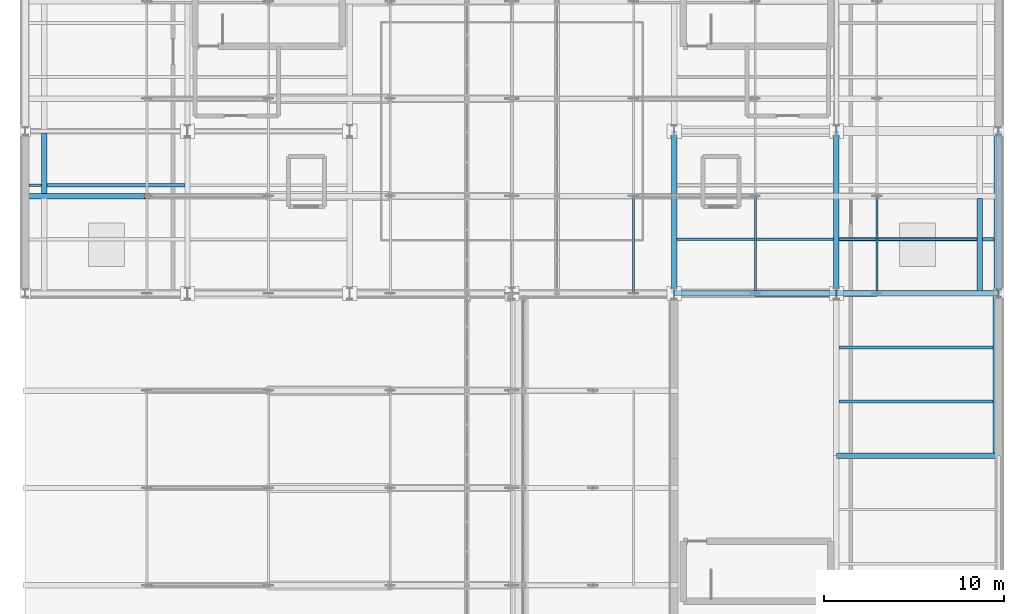
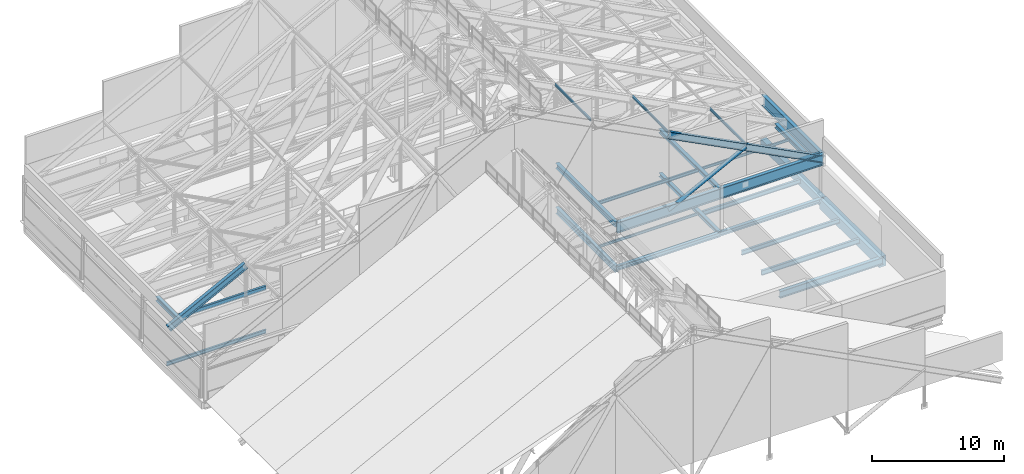
# One storey, part 33 of 84: 22 beams, 7 members.
"""IFC4 building model written with IfcOpenShell, lengths in metres."""

from ifc_helpers import new_model, si_unit, direction, frame, origin, origin_2d, place, context, subcontext, project, spatial, rectangle, hollow_circle, i_section, extrude, material, material_profile, profile_set, type_object, element, save


model = new_model("IFC4")

# Units and contexts
model_context = context("Model", 3, precision=1e-05, world=origin(), true_north=direction((0.0, 1.0)))
body_context = subcontext(model_context, "Body", "Model", "MODEL_VIEW")
ifc_project = project(units=[si_unit("LENGTHUNIT", "METRE"), si_unit("AREAUNIT", "SQUARE_METRE"), si_unit("VOLUMEUNIT", "CUBIC_METRE"), si_unit("PLANEANGLEUNIT", "RADIAN"), si_unit("MASSUNIT", "GRAM", prefix="KILO")], contexts=[model_context])

# Site, building, storey
site_placement = place(None, origin())
site = spatial("IfcSite", under=ifc_project, at=site_placement, CompositionType="ELEMENT")
building_placement = place(site_placement, origin())
building = spatial("IfcBuilding", under=site, at=building_placement, Name="Sundgate Opera House", CompositionType="ELEMENT")
storey_placement = place(building_placement, frame((0.0, 0.0, 30.60009765625)))
storey = spatial("IfcBuildingStorey", under=building, at=storey_placement, Name="L06", CompositionType="ELEMENT", Elevation=30.60009765625)

# Beams
ifc_material_1 = material(Name="Steel S355J2", Category="steel")
ifc_material_profile_1 = material_profile(ifc_material_1, i_section(OverallWidth=0.300048828125, OverallDepth=0.330078125, WebThickness=0.009521484375, FlangeThickness=0.0166015625, at=origin_2d()), Name="HEA 340")
ifc_profile_set_1 = profile_set([ifc_material_profile_1], Name="Steel S355J2")
beam_type_1 = type_object("IfcBeamType", Name="BM-GR-HEA340", PredefinedType="BEAM", material=ifc_profile_set_1)
beam_1_placement = place(storey_placement, frame((72.0, 60.0, -0.425048828125), z_axis=(0.0, 1.0, 0.0), x_axis=(-1.0, 0.0, 0.0)))
element("IfcBeam", 1, at=beam_1_placement, inside=storey, type_object=beam_type_1, Name="L06 Primary N-S Girder B3207", PredefinedType="BEAM", context=body_context, shape_type="SweptSolid", body=[
    extrude(i_section(OverallWidth=0.300048828125, OverallDepth=0.330078125, WebThickness=0.009521484375, FlangeThickness=0.0166015625, at=origin_2d()), origin(), (0.0, 0.0, 1.0), 9.0),
])
ifc_material_2 = material(Name="Steel S355J2", Category="steel")
ifc_material_profile_2 = material_profile(ifc_material_2, i_section(OverallWidth=0.300048828125, OverallDepth=0.35009765625, WebThickness=0.010009765625, FlangeThickness=0.017578125, at=origin_2d()), Name="HEA 360")
ifc_profile_set_2 = profile_set([ifc_material_profile_2], Name="Steel S355J2")
beam_type_2 = type_object("IfcBeamType", Name="BM-GR-HEA360", PredefinedType="BEAM", material=ifc_profile_set_2)
beam_2_placement = place(storey_placement, frame((72.0, 60.0, 3.625), z_axis=(0.0, 1.0, 0.0), x_axis=(-1.0, 0.0, 0.0)))
element("IfcBeam", 2, at=beam_2_placement, inside=storey, type_object=beam_type_2, Name="L06 Primary N-S Girder B3280", PredefinedType="BEAM", context=body_context, shape_type="SweptSolid", body=[
    extrude(i_section(OverallWidth=0.300048828125, OverallDepth=0.35009765625, WebThickness=0.010009765625, FlangeThickness=0.017578125, at=origin_2d()), origin(), (0.0, 0.0, 1.0), 9.0),
])
ifc_material_3 = material(Name="Steel S355J2", Category="steel")
ifc_material_profile_3 = material_profile(ifc_material_3, i_section(OverallWidth=0.300048828125, OverallDepth=0.389892578125, WebThickness=0.010986328125, FlangeThickness=0.01904296875, at=origin_2d()), Name="HEA 400")
ifc_profile_set_3 = profile_set([ifc_material_profile_3], Name="Steel S355J2")
beam_type_3 = type_object("IfcBeamType", Name="BM-GR-HEA400", PredefinedType="BEAM", material=ifc_profile_set_3)
beam_3_placement = place(storey_placement, frame((28.050048828125, 65.550048828125, 3.58984375), z_axis=(0.0, 1.0, 0.0), x_axis=(-1.0, 0.0, 0.0)))
element("IfcBeam", 3, at=beam_3_placement, inside=storey, type_object=beam_type_3, Name="L06 Gridiron Deck Edge Girder B3294", PredefinedType="BEAM", context=body_context, shape_type="SweptSolid", body=[
    extrude(i_section(OverallWidth=0.300048828125, OverallDepth=0.389892578125, WebThickness=0.010986328125, FlangeThickness=0.01904296875, at=origin_2d()), origin(), (0.0, 0.0, 1.0), 3.344970703125),
])
beam_4_placement = place(storey_placement, frame((79.949951171875, 60.1298828125, 3.58984375), z_axis=(0.0, 1.0, 0.0), x_axis=(-1.0, 0.0, 0.0)))
element("IfcBeam", 4, at=beam_4_placement, inside=storey, type_object=beam_type_3, Name="L06 Gridiron Deck Edge Girder B3300", PredefinedType="BEAM", context=body_context, shape_type="SweptSolid", body=[
    extrude(i_section(OverallWidth=0.300048828125, OverallDepth=0.389892578125, WebThickness=0.010986328125, FlangeThickness=0.01904296875, at=origin_2d()), origin(), (0.0, 0.0, 1.0), 5.1201171875),
])
ifc_material_4 = material(Name="Steel S355J2", Category="steel")
ifc_material_profile_4 = material_profile(ifc_material_4, i_section(OverallWidth=0.300048828125, OverallDepth=0.489990234375, WebThickness=0.011962890625, FlangeThickness=0.02294921875, at=origin_2d()), Name="HEA 500")
ifc_profile_set_4 = profile_set([ifc_material_profile_4], Name="Steel S355J2")
beam_type_4 = type_object("IfcBeamType", Name="BM-GR-HEA500", PredefinedType="BEAM", material=ifc_profile_set_4)
beam_5_placement = place(storey_placement, frame((63.0, 60.0, 3.554931640625), z_axis=(0.0, 1.0, 0.0), x_axis=(-1.0, 0.0, 0.0)))
element("IfcBeam", 5, at=beam_5_placement, inside=storey, type_object=beam_type_4, Name="L06 Primary N-S Girder B3277", PredefinedType="BEAM", context=body_context, shape_type="SweptSolid", body=[
    extrude(i_section(OverallWidth=0.300048828125, OverallDepth=0.489990234375, WebThickness=0.011962890625, FlangeThickness=0.02294921875, at=origin_2d()), origin(), (0.0, 0.0, 1.0), 9.0),
])
ifc_material_5 = material(Name="Steel S355J2", Category="steel")
ifc_material_profile_5 = material_profile(ifc_material_5, i_section(OverallWidth=0.300048828125, OverallDepth=0.590087890625, WebThickness=0.012939453125, FlangeThickness=0.02490234375, at=origin_2d()), Name="HEA 600")
ifc_profile_set_5 = profile_set([ifc_material_profile_5], Name="Steel S355J2")
beam_type_5 = type_object("IfcBeamType", Name="BM-GR-HEA600", PredefinedType="BEAM", material=ifc_profile_set_5)
beam_6_placement = place(storey_placement, frame((63.0, 60.0, -0.55517578125), z_axis=(0.0, 1.0, 0.0), x_axis=(-1.0, 0.0, 0.0)))
element("IfcBeam", 6, at=beam_6_placement, inside=storey, type_object=beam_type_5, Name="L06 Primary N-S Girder B3202", PredefinedType="BEAM", context=body_context, shape_type="SweptSolid", body=[
    extrude(i_section(OverallWidth=0.300048828125, OverallDepth=0.590087890625, WebThickness=0.012939453125, FlangeThickness=0.02490234375, at=origin_2d()), origin(), (0.0, 0.0, 1.0), 9.0),
])
ifc_material_6 = material(Name="Steel S355J2", Category="steel")
ifc_material_profile_6 = material_profile(ifc_material_6, i_section(OverallWidth=0.300048828125, OverallDepth=0.360107421875, WebThickness=0.012451171875, FlangeThickness=0.0224609375, at=origin_2d()), Name="HEB 360")
ifc_profile_set_6 = profile_set([ifc_material_profile_6], Name="Steel S355J2")
beam_type_6 = type_object("IfcBeamType", Name="BM-GR-HEB360", PredefinedType="BEAM", material=ifc_profile_set_6)
beam_7_placement = place(storey_placement, frame((72.0, 60.0, -0.440185546875), z_axis=(1.0, 0.0, 0.0), x_axis=(0.0, 1.0, 0.0)))
element("IfcBeam", 7, at=beam_7_placement, inside=storey, type_object=beam_type_6, Name="L06 Primary E-W Girder B3223", PredefinedType="BEAM", context=body_context, shape_type="SweptSolid", body=[
    extrude(i_section(OverallWidth=0.300048828125, OverallDepth=0.360107421875, WebThickness=0.012451171875, FlangeThickness=0.0224609375, at=origin_2d()), origin(), (0.0, 0.0, 1.0), 9.0),
])
ifc_material_7 = material(Name="Steel S355J2", Category="steel")
ifc_material_profile_7 = material_profile(ifc_material_7, i_section(OverallWidth=0.300048828125, OverallDepth=0.39990234375, WebThickness=0.013427734375, FlangeThickness=0.02392578125, at=origin_2d()), Name="HEB 400")
ifc_profile_set_7 = profile_set([ifc_material_profile_7], Name="Steel S355J2")
beam_type_7 = type_object("IfcBeamType", Name="BM-GR-HEB400", PredefinedType="BEAM", material=ifc_profile_set_7)
beam_8_placement = place(storey_placement, frame((63.0, 60.0, -0.460205078125), z_axis=(1.0, 0.0, 0.0), x_axis=(0.0, 1.0, 0.0)))
element("IfcBeam", 8, at=beam_8_placement, inside=storey, type_object=beam_type_7, Name="L06 Primary E-W Girder B3222", PredefinedType="BEAM", context=body_context, shape_type="SweptSolid", body=[
    extrude(i_section(OverallWidth=0.300048828125, OverallDepth=0.39990234375, WebThickness=0.013427734375, FlangeThickness=0.02392578125, at=origin_2d()), origin(), (0.0, 0.0, 1.0), 9.0),
])
ifc_material_8 = material(Name="Steel S355J2", Category="steel")
ifc_material_profile_8 = material_profile(ifc_material_8, i_section(OverallWidth=0.300048828125, OverallDepth=0.64990234375, WebThickness=0.01611328125, FlangeThickness=0.031005859375, at=origin_2d()), Name="HEB 650")
ifc_profile_set_8 = profile_set([ifc_material_profile_8], Name="Steel S355J2")
beam_type_8 = type_object("IfcBeamType", Name="BM-GR-HEB650", PredefinedType="BEAM", material=ifc_profile_set_8)
beam_9_placement = place(storey_placement, frame((72.0, 51.0, -0.585205078125), z_axis=(1.0, 0.0, 0.0), x_axis=(0.0, 1.0, 0.0)))
element("IfcBeam", 9, at=beam_9_placement, inside=storey, type_object=beam_type_8, Name="L06 Primary E-W Girder B3217", PredefinedType="BEAM", context=body_context, shape_type="SweptSolid", body=[
    extrude(i_section(OverallWidth=0.300048828125, OverallDepth=0.64990234375, WebThickness=0.01611328125, FlangeThickness=0.031005859375, at=origin_2d()), origin(), (0.0, 0.0, 1.0), 9.0),
])
ifc_material_9 = material(Name="Steel S355J2", Category="steel")
ifc_material_profile_9 = material_profile(ifc_material_9, i_section(OverallWidth=0.1201171875, OverallDepth=0.239990234375, WebThickness=0.006103515625, FlangeThickness=0.009765625, at=origin_2d()), Name="IPE 240")
ifc_profile_set_9 = profile_set([ifc_material_profile_9], Name="Steel S355J2")
beam_type_9 = type_object("IfcBeamType", Name="BM-JS-IPE240", PredefinedType="JOIST", material=ifc_profile_set_9)
beam_10_placement = place(storey_placement, frame((63.14990234375, 63.0, -0.380126953125), z_axis=(1.0, 0.0, 0.0), x_axis=(0.0, 1.0, 0.0)))
element("IfcBeam", 10, at=beam_10_placement, inside=storey, type_object=beam_type_9, Name="L06 Secondary Floor Joist B3248", PredefinedType="JOIST", context=body_context, shape_type="SweptSolid", body=[
    extrude(i_section(OverallWidth=0.1201171875, OverallDepth=0.239990234375, WebThickness=0.006103515625, FlangeThickness=0.009765625, at=origin_2d()), origin(), (0.0, 0.0, 1.0), 8.7001953125),
])
beam_11_placement = place(storey_placement, frame((72.14990234375, 63.0, 3.664794921875), z_axis=(1.0, 0.0, 0.0), x_axis=(0.0, 1.0, 0.0)))
element("IfcBeam", 11, at=beam_11_placement, inside=storey, type_object=beam_type_9, Name="L06 Secondary Floor Joist B3313", PredefinedType="JOIST", context=body_context, shape_type="SweptSolid", body=[
    extrude(i_section(OverallWidth=0.1201171875, OverallDepth=0.239990234375, WebThickness=0.006103515625, FlangeThickness=0.009765625, at=origin_2d()), origin(), (0.0, 0.0, 1.0), 7.650146484375),
])
ifc_material_10 = material(Name="Steel S355J2", Category="steel")
ifc_material_profile_10 = material_profile(ifc_material_10, i_section(OverallWidth=0.14990234375, OverallDepth=0.300048828125, WebThickness=0.007080078125, FlangeThickness=0.0107421875, at=origin_2d()), Name="IPE 300")
ifc_profile_set_10 = profile_set([ifc_material_profile_10], Name="Steel S355J2")
beam_type_10 = type_object("IfcBeamType", Name="BM-JS-IPE300", PredefinedType="JOIST", material=ifc_profile_set_10)
beam_12_placement = place(storey_placement, frame((63.14990234375, 63.0, 3.64990234375), z_axis=(1.0, 0.0, 0.0), x_axis=(0.0, 1.0, 0.0)))
element("IfcBeam", 12, at=beam_12_placement, inside=storey, type_object=beam_type_10, Name="L06 Secondary Floor Joist B3311", PredefinedType="JOIST", context=body_context, shape_type="SweptSolid", body=[
    extrude(i_section(OverallWidth=0.14990234375, OverallDepth=0.300048828125, WebThickness=0.007080078125, FlangeThickness=0.0107421875, at=origin_2d()), origin(), (0.0, 0.0, 1.0), 8.7001953125),
])
ifc_material_11 = material(Name="Steel S355J2", Category="steel")
ifc_material_profile_11 = material_profile(ifc_material_11, i_section(OverallWidth=0.159912109375, OverallDepth=0.330078125, WebThickness=0.007568359375, FlangeThickness=0.011474609375, at=origin_2d()), Name="IPE 330")
ifc_profile_set_11 = profile_set([ifc_material_profile_11], Name="Steel S355J2")
beam_type_11 = type_object("IfcBeamType", Name="BM-JS-IPE330", PredefinedType="JOIST", material=ifc_profile_set_11)
beam_13_placement = place(storey_placement, frame((27.199951171875, 66.0, -0.425048828125), z_axis=(1.0, 0.0, 0.0), x_axis=(0.0, 1.0, 0.0)))
element("IfcBeam", 13, at=beam_13_placement, inside=storey, type_object=beam_type_11, Name="L06 Secondary Floor Joist B3245", PredefinedType="JOIST", context=body_context, shape_type="SweptSolid", body=[
    extrude(i_section(OverallWidth=0.159912109375, OverallDepth=0.330078125, WebThickness=0.007568359375, FlangeThickness=0.011474609375, at=origin_2d()), origin(), (0.0, 0.0, 1.0), 8.650146484375),
])
ifc_material_12 = material(Name="Steel S355J2", Category="steel")
ifc_material_profile_12 = material_profile(ifc_material_12, i_section(OverallWidth=0.179931640625, OverallDepth=0.39990234375, WebThickness=0.008544921875, FlangeThickness=0.013427734375, at=origin_2d()), Name="IPE 400")
ifc_profile_set_12 = profile_set([ifc_material_profile_12], Name="Steel S355J2")
beam_type_12 = type_object("IfcBeamType", Name="BM-JS-IPE400", PredefinedType="JOIST", material=ifc_profile_set_12)
beam_14_placement = place(storey_placement, frame((72.14990234375, 57.0, -0.460205078125), z_axis=(1.0, 0.0, 0.0), x_axis=(0.0, 1.0, 0.0)))
element("IfcBeam", 14, at=beam_14_placement, inside=storey, type_object=beam_type_12, Name="L06 Secondary Floor Joist B3243", PredefinedType="JOIST", context=body_context, shape_type="SweptSolid", body=[
    extrude(i_section(OverallWidth=0.179931640625, OverallDepth=0.39990234375, WebThickness=0.008544921875, FlangeThickness=0.013427734375, at=origin_2d()), origin(), (0.0, 0.0, 1.0), 8.550048828125),
])
beam_15_placement = place(storey_placement, frame((72.14990234375, 63.0, -0.460205078125), z_axis=(1.0, 0.0, 0.0), x_axis=(0.0, 1.0, 0.0)))
element("IfcBeam", 15, at=beam_15_placement, inside=storey, type_object=beam_type_12, Name="L06 Secondary Floor Joist B3250", PredefinedType="JOIST", context=body_context, shape_type="SweptSolid", body=[
    extrude(i_section(OverallWidth=0.179931640625, OverallDepth=0.39990234375, WebThickness=0.008544921875, FlangeThickness=0.013427734375, at=origin_2d()), origin(), (0.0, 0.0, 1.0), 8.60009765625),
])
beam_16_placement = place(storey_placement, frame((28.199951171875, 66.0, 3.5849609375), z_axis=(1.0, 0.0, 0.0), x_axis=(0.0, 1.0, 0.0)))
element("IfcBeam", 16, at=beam_16_placement, inside=storey, type_object=beam_type_12, Name="L06 Secondary Floor Joist B3308", PredefinedType="JOIST", context=body_context, shape_type="SweptSolid", body=[
    extrude(i_section(OverallWidth=0.179931640625, OverallDepth=0.39990234375, WebThickness=0.008544921875, FlangeThickness=0.013427734375, at=origin_2d()), origin(), (0.0, 0.0, 1.0), 7.650146484375),
])
ifc_material_13 = material(Name="Steel S355J2", Category="steel")
ifc_material_profile_13 = material_profile(ifc_material_13, i_section(OverallWidth=0.18994140625, OverallDepth=0.449951171875, WebThickness=0.009521484375, FlangeThickness=0.0146484375, at=origin_2d()), Name="IPE 450")
ifc_profile_set_13 = profile_set([ifc_material_profile_13], Name="Steel S355J2")
beam_type_13 = type_object("IfcBeamType", Name="BM-JS-IPE450", PredefinedType="JOIST", material=ifc_profile_set_13)
beam_17_placement = place(storey_placement, frame((72.14990234375, 54.0, -0.485107421875), z_axis=(1.0, 0.0, 0.0), x_axis=(0.0, 1.0, 0.0)))
element("IfcBeam", 17, at=beam_17_placement, inside=storey, type_object=beam_type_13, Name="L06 Secondary Floor Joist B3242", PredefinedType="JOIST", context=body_context, shape_type="SweptSolid", body=[
    extrude(i_section(OverallWidth=0.18994140625, OverallDepth=0.449951171875, WebThickness=0.009521484375, FlangeThickness=0.0146484375, at=origin_2d()), origin(), (0.0, 0.0, 1.0), 8.550048828125),
])
ifc_material_14 = material(Name="Concrete C40/50", Category="concrete")
ifc_material_profile_14 = material_profile(ifc_material_14, rectangle(XDim=0.5, YDim=0.75, at=origin_2d()), Name="RC 500x750")
ifc_profile_set_14 = profile_set([ifc_material_profile_14], Name="Concrete C40/50")
beam_type_14 = type_object("IfcBeamType", Name="BM-RC-500x750", PredefinedType="BEAM", material=ifc_profile_set_14)
beam_18_placement = place(storey_placement, frame((81.0, 60.0, -0.635009765625), z_axis=(0.0, 1.0, 0.0), x_axis=(-1.0, 0.0, 0.0)))
element("IfcBeam", 18, at=beam_18_placement, inside=storey, type_object=beam_type_14, Name="L06 Primary N-S Girder B3212", PredefinedType="BEAM", context=body_context, shape_type="SweptSolid", body=[
    extrude(rectangle(XDim=0.5, YDim=0.75, at=origin_2d()), origin(), (0.0, 0.0, 1.0), 9.0),
])
ifc_material_15 = material(Name="Concrete C40/50", Category="concrete")
ifc_material_profile_15 = material_profile(ifc_material_15, rectangle(XDim=0.60009765625, YDim=0.949951171875, at=origin_2d()), Name="RC 600x950")
ifc_profile_set_15 = profile_set([ifc_material_profile_15], Name="Concrete C40/50")
beam_type_15 = type_object("IfcBeamType", Name="BM-RC-600x950", PredefinedType="BEAM", material=ifc_profile_set_15)
beam_19_placement = place(storey_placement, frame((81.0, 51.0, -0.735107421875), z_axis=(0.0, 1.0, 0.0), x_axis=(-1.0, 0.0, 0.0)))
element("IfcBeam", 19, at=beam_19_placement, inside=storey, type_object=beam_type_15, Name="L06 Primary N-S Girder B3211", PredefinedType="BEAM", context=body_context, shape_type="SweptSolid", body=[
    extrude(rectangle(XDim=0.60009765625, YDim=0.949951171875, at=origin_2d()), origin(), (0.0, 0.0, 1.0), 9.0),
])
ifc_material_16 = material(Name="Steel S355ML", Category="steel")
ifc_material_profile_16 = material_profile(ifc_material_16, i_section(OverallWidth=0.300048828125, OverallDepth=1.0, WebThickness=0.01904296875, FlangeThickness=0.035888671875, at=origin_2d()), Name="HEB 1000")
ifc_profile_set_16 = profile_set([ifc_material_profile_16], Name="Steel S355ML")
beam_type_16 = type_object("IfcBeamType", Name="BM-TR-HEB1000", PredefinedType="BEAM", material=ifc_profile_set_16)
for number, where, z_axis, x_axis, name in (
    (20, (63.0, 60.0, 3.289794921875), (1.0, 0.0, 0.0), (0.0, 1.0, 0.0), "L06 Fly-Tower Step Gable Girder B3364"),
    (21, (72.0, 60.0, 3.289794921875), (1.0, 0.0, 0.0), (0.0, 1.0, 0.0), "L06 Fly-Tower Step Gable Girder B3365"),
    (22, (81.0, 60.0, 3.289794921875), (0.0, 1.0, 0.0), (-1.0, 0.0, 0.0), "L06 Fly-Tower Eaves Collector Girder B3380"),
):
    element("IfcBeam", number, at=place(storey_placement, frame(where, z_axis=z_axis, x_axis=x_axis)), inside=storey, type_object=beam_type_16, Name=name, PredefinedType="BEAM", context=body_context, shape_type="SweptSolid", body=[
        extrude(i_section(OverallWidth=0.300048828125, OverallDepth=1.0, WebThickness=0.01904296875, FlangeThickness=0.035888671875, at=origin_2d()), origin(), (0.0, 0.0, 1.0), 9.0),
    ])

# Members
ifc_material_17 = material(Name="Steel S355J2", Category="steel")
ifc_material_profile_17 = material_profile(ifc_material_17, i_section(OverallWidth=0.300048828125, OverallDepth=0.60009765625, WebThickness=0.015380859375, FlangeThickness=0.030029296875, at=origin_2d()), Name="HEB 600")
ifc_profile_set_17 = profile_set([ifc_material_profile_17], Name="Steel S355J2")
member_type_1 = type_object("IfcMemberType", Name="MB-CHORD-HEB600", PredefinedType="CHORD", material=ifc_profile_set_17)
for number, where, z_axis, x_axis, name in (
    (23, (67.5, 60.0, 10.244873046875), (0.888960276237, 0.0, -0.457984308981), (0.0, 1.0, 0.0), "L06 Fly-Tower Truss Top Chord M0131"),
    (24, (74.25, 60.0, 6.767333984375), (0.888960276237, 0.0, -0.457984308981), (0.0, 1.0, 0.0), "L06 Fly-Tower Truss Top Chord M0133"),
    (25, (27.0, 65.39990234375, 3.289794921875), (0.888960276237, 0.0, 0.457984308981), (0.0, 1.0, 0.0), "L06 Fly-Tower Truss Top Chord M0134"),
):
    element("IfcMember", number, at=place(storey_placement, frame(where, z_axis=z_axis, x_axis=x_axis)), inside=storey, type_object=member_type_1, Name=name, PredefinedType="CHORD", context=body_context, shape_type="SweptSolid", body=[
        extrude(i_section(OverallWidth=0.300048828125, OverallDepth=0.60009765625, WebThickness=0.015380859375, FlangeThickness=0.030029296875, at=origin_2d()), origin(), (0.0, 0.0, 1.0), 7.59326171875),
    ])
ifc_material_18 = material(Name="Steel S355J2", Category="steel")
ifc_material_profile_18 = material_profile(ifc_material_18, i_section(OverallWidth=0.110107421875, OverallDepth=0.219970703125, WebThickness=0.005859375, FlangeThickness=0.00927734375, at=origin_2d()), Name="IPE 220")
ifc_profile_set_18 = profile_set([ifc_material_profile_18], Name="Steel S355J2")
member_type_2 = type_object("IfcMemberType", Name="MB-PUR-IPE220", PredefinedType="PURLIN", material=ifc_profile_set_18)
for number, where, z_axis, x_axis, name in (
    (26, (60.75, 60.0, 13.96728515625), (0.0, 1.0, 0.0), (-1.0, 0.0, 0.0), "V1 Roof Purlin M0249"),
    (27, (67.5, 60.0, 10.489990234375), (0.0, 1.0, 0.0), (-1.0, 0.0, 0.0), "V1 Roof Purlin M0250"),
    (28, (74.25, 60.0, 7.012451171875), (0.0, 1.0, 0.0), (-1.0, 0.0, 0.0), "V1 Roof Purlin M0251"),
):
    element("IfcMember", number, at=place(storey_placement, frame(where, z_axis=z_axis, x_axis=x_axis)), inside=storey, type_object=member_type_2, Name=name, PredefinedType="PURLIN", context=body_context, shape_type="SweptSolid", body=[
        extrude(i_section(OverallWidth=0.110107421875, OverallDepth=0.219970703125, WebThickness=0.005859375, FlangeThickness=0.00927734375, at=origin_2d()), origin(), (0.0, 0.0, 1.0), 5.39990234375),
    ])
ifc_material_19 = material(Name="Steel S355J2", Category="steel")
ifc_material_profile_19 = material_profile(ifc_material_19, hollow_circle(Radius=0.161865234375, WallThickness=0.01611328125, at=origin_2d()), Name="CHS 323.9x16.0")
ifc_profile_set_19 = profile_set([ifc_material_profile_19], Name="Steel S355J2")
member_type_3 = type_object("IfcMemberType", Name="MB-STRUT-CHS324", PredefinedType="STRUT", material=ifc_profile_set_19)
member_placement = place(storey_placement, frame((67.5, 60.0, 3.289794921875), z_axis=(0.888960276237, 0.0, 0.457984308981), x_axis=(0.0, 1.0, 0.0)))
element("IfcMember", 29, at=member_placement, inside=storey, type_object=member_type_3, Name="L06 Fly-Tower Warren Web Strut M0132", PredefinedType="STRUT", context=body_context, shape_type="SweptSolid", body=[
    extrude(hollow_circle(Radius=0.161865234375, WallThickness=0.01611328125, at=origin_2d()), origin(), (0.0, 0.0, 1.0), 7.59326171875),
])

save(model, "model.ifc")
